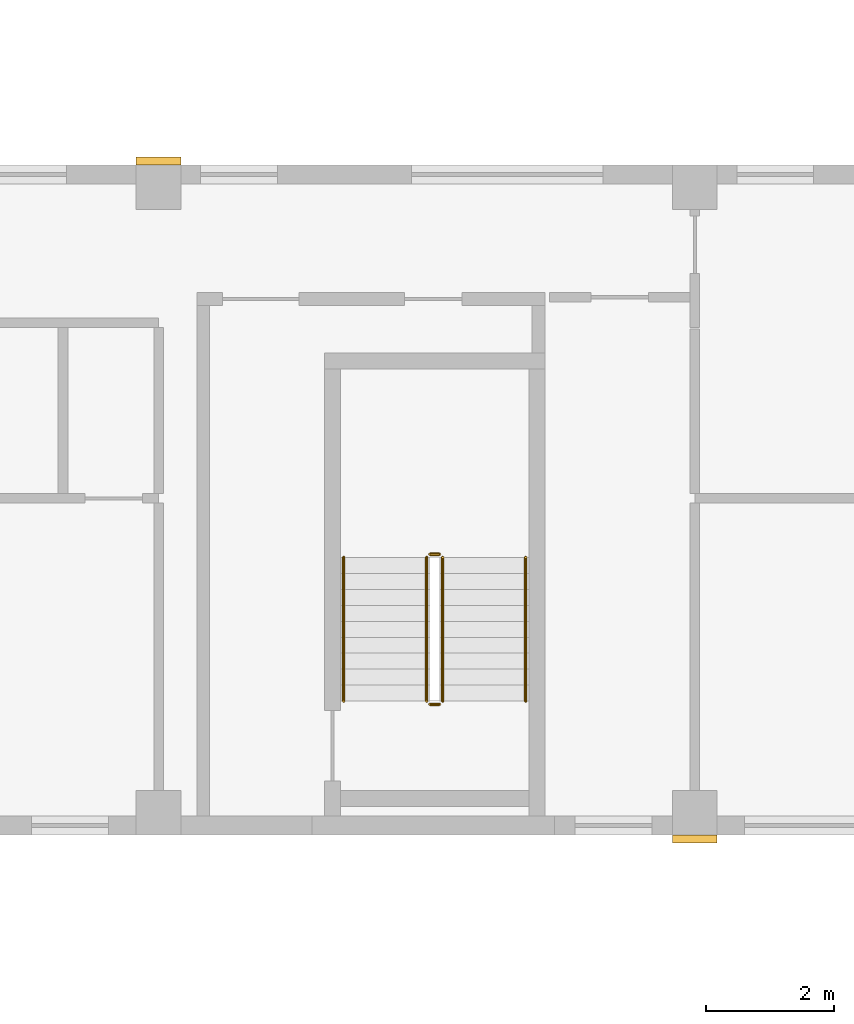
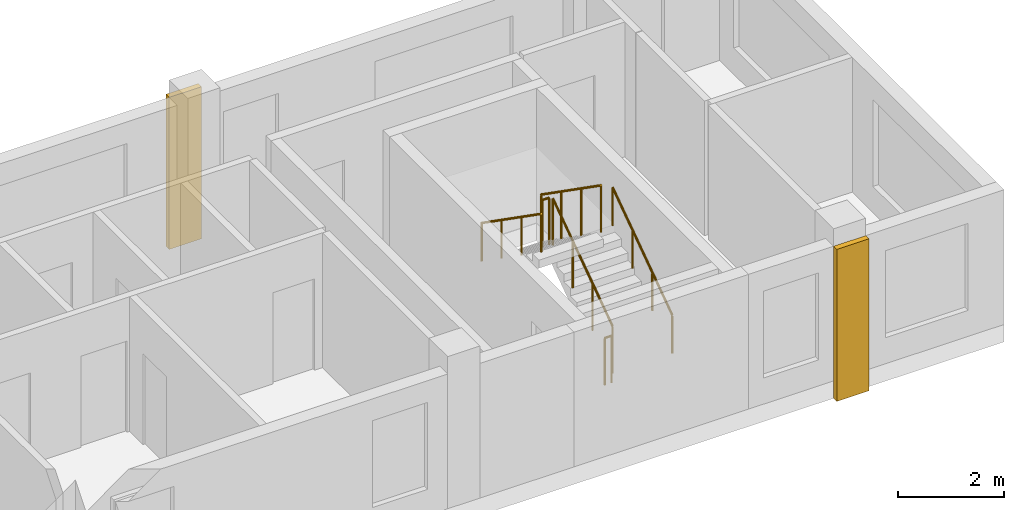
# One storey, part 8 of 9: 6 railings, 2 coverings.
"""IFC4 building model written with IfcOpenShell, lengths in metres."""

from ifc_helpers import new_model, si_unit, direction, frame, origin, origin_2d, place, context, subcontext, project, spatial, rectangle, circle, extrude, source, transform, mapped, material, type_object, element, save


model = new_model("IFC4")

# Units and contexts
model_context = context("Model", 3, precision=1e-05, world=origin(), true_north=direction((0.0, 1.0)))
body_context = subcontext(model_context, "Body", "Model", "MODEL_VIEW")
ifc_project = project(units=[si_unit("LENGTHUNIT", "METRE"), si_unit("AREAUNIT", "SQUARE_METRE"), si_unit("VOLUMEUNIT", "CUBIC_METRE"), si_unit("PLANEANGLEUNIT", "RADIAN"), si_unit("MASSUNIT", "GRAM", prefix="KILO")], contexts=[model_context])

# Site, building, storey
site_placement = place(None, origin())
site = spatial("IfcSite", under=ifc_project, at=site_placement, CompositionType="ELEMENT")
building_placement = place(site_placement, origin())
building = spatial("IfcBuilding", under=site, at=building_placement, Name="Aurelian Terraces", CompositionType="ELEMENT")
storey_placement = place(building_placement, frame((0.0, 0.0, 312.5)))
storey = spatial("IfcBuildingStorey", under=building, at=storey_placement, Name="L72", CompositionType="ELEMENT", Elevation=312.5)

# Coverings
ifc_material_1 = material(Name="Terracotta rainscreen cladding relief", Category="masonry")
covering_type = type_object("IfcCoveringType", Name="BAGUETTE-TC", PredefinedType="CLADDING", material=ifc_material_1)
shared_shape_1 = source(origin(), body_context, "Body", "SweptSolid", [
    extrude(rectangle(XDim=0.7, YDim=0.12, at=origin_2d()), origin(), (0.0, 0.0, 1.0), 3.5),
])
for number, where, z_axis, x_axis, name in (
    (1, (46.2, -0.06, -0.4), (0.0, 0.0, 1.0), (1.0, 0.0, 0.0), "BAGUETTE pier L72 3"),
    (2, (37.8, 10.56, -0.4), (0.0, 0.0, 1.0), (1.0, 0.0, 0.0), "BAGUETTE pier L72 4"),
):
    element("IfcCovering", number, at=place(storey_placement, frame(where, z_axis=z_axis, x_axis=x_axis)), inside=storey, type_object=covering_type, Name=name, PredefinedType="CLADDING", context=body_context, shape_type="MappedRepresentation", body=[
        mapped(shared_shape_1, transform((0.0, 0.0, 0.0), scale=1.0)),
    ])

# Railings
ifc_material_2 = material(Name="Stainless steel", Category="steel")
railing_type_1 = type_object("IfcRailingType", Name="Stair guard 1100", PredefinedType="GUARDRAIL", material=ifc_material_2)
shared_shape_2 = source(origin(), body_context, "Body", "SweptSolid", [
    extrude(circle(Radius=0.024, at=origin_2d()), frame((0.0, 0.0, 1.076), z_axis=(-1.0, 0.0, 0.0), x_axis=(0.0, -1.0, 0.0)), (0.0, 0.0, 1.0), 0.15),
    extrude(circle(Radius=0.021, at=origin_2d()), origin(), (0.0, 0.0, 1.0), 1.052),
    extrude(circle(Radius=0.021, at=origin_2d()), frame((-0.15, 0.0, 0.0)), (0.0, 0.0, 1.0), 1.052),
])
for number, where, name in (
    (3, (42.2, 4.4, 1.75), "L72 S2 stair guard 2"),
    (4, (42.2, 2.05, 0.0), "L72 S2 stair guard 4"),
):
    element("IfcRailing", number, at=place(storey_placement, frame(where)), inside=storey, type_object=railing_type_1, Name=name, PredefinedType="GUARDRAIL", context=body_context, shape_type="MappedRepresentation", body=[
        mapped(shared_shape_2, transform((0.0, 0.0, 0.0), scale=1.0)),
    ])
shared_shape_3 = source(origin(), body_context, "Body", "SweptSolid", [
    extrude(circle(Radius=0.024, at=origin_2d()), frame((0.0, 0.0, 1.076), z_axis=(0.0, 0.819231920519, 0.573462344363), x_axis=(-1.0, 0.0, 0.0)), (0.0, 0.0, 1.0), 2.7465),
    extrude(circle(Radius=0.021, at=origin_2d()), origin(), (0.0, 0.0, 1.0), 1.052),
    extrude(circle(Radius=0.021, at=origin_2d()), frame((0.0, 0.75, 0.525)), (0.0, 0.0, 1.0), 1.052),
    extrude(circle(Radius=0.021, at=origin_2d()), frame((0.0, 1.5, 1.05)), (0.0, 0.0, 1.0), 1.052),
    extrude(circle(Radius=0.021, at=origin_2d()), frame((0.0, 2.25, 1.575)), (0.0, 0.0, 1.0), 1.052),
])
railing_1_placement = place(storey_placement, frame((42.25, 2.1, 0.175)))
element("IfcRailing", 5, at=railing_1_placement, inside=storey, type_object=railing_type_1, Name="L72 S2 stair guard 1", PredefinedType="GUARDRAIL", context=body_context, shape_type="MappedRepresentation", body=[
    mapped(shared_shape_3, transform((0.0, 0.0, 0.0), scale=1.0)),
])
shared_shape_4 = source(origin(), body_context, "Body", "SweptSolid", [
    extrude(circle(Radius=0.024, at=origin_2d()), frame((0.0, 0.0, 1.076), z_axis=(0.0, -0.819231920519, 0.573462344363), x_axis=(1.0, 0.0, 0.0)), (0.0, 0.0, 1.0), 2.7465),
    extrude(circle(Radius=0.021, at=origin_2d()), origin(), (0.0, 0.0, 1.0), 1.052),
    extrude(circle(Radius=0.021, at=origin_2d()), frame((0.0, -0.75, 0.525)), (0.0, 0.0, 1.0), 1.052),
    extrude(circle(Radius=0.021, at=origin_2d()), frame((0.0, -1.5, 1.05)), (0.0, 0.0, 1.0), 1.052),
    extrude(circle(Radius=0.021, at=origin_2d()), frame((0.0, -2.25, 1.575)), (0.0, 0.0, 1.0), 1.052),
])
railing_2_placement = place(storey_placement, frame((42.0, 4.35, 1.925)))
element("IfcRailing", 6, at=railing_2_placement, inside=storey, type_object=railing_type_1, Name="L72 S2 stair guard 3", PredefinedType="GUARDRAIL", context=body_context, shape_type="MappedRepresentation", body=[
    mapped(shared_shape_4, transform((0.0, 0.0, 0.0), scale=1.0)),
])
railing_type_2 = type_object("IfcRailingType", Name="Stair handrail", PredefinedType="HANDRAIL", material=ifc_material_2)
shared_shape_5 = source(origin(), body_context, "Body", "SweptSolid", [
    extrude(circle(Radius=0.024, at=origin_2d()), frame((0.0, 0.0, 0.876), z_axis=(0.0, 0.819231920519, 0.573462344363), x_axis=(-1.0, 0.0, 0.0)), (0.0, 0.0, 1.0), 2.7465),
    extrude(circle(Radius=0.021, at=origin_2d()), origin(), (0.0, 0.0, 1.0), 0.852),
    extrude(circle(Radius=0.021, at=origin_2d()), frame((0.0, 0.75, 0.525)), (0.0, 0.0, 1.0), 0.852),
    extrude(circle(Radius=0.021, at=origin_2d()), frame((0.0, 1.5, 1.05)), (0.0, 0.0, 1.0), 0.852),
    extrude(circle(Radius=0.021, at=origin_2d()), frame((0.0, 2.25, 1.575)), (0.0, 0.0, 1.0), 0.852),
])
railing_3_placement = place(storey_placement, frame((43.55, 2.1, 0.175)))
element("IfcRailing", 7, at=railing_3_placement, inside=storey, type_object=railing_type_2, Name="L72 S2 stair handrail 1", PredefinedType="HANDRAIL", context=body_context, shape_type="MappedRepresentation", body=[
    mapped(shared_shape_5, transform((0.0, 0.0, 0.0), scale=1.0)),
])
shared_shape_6 = source(origin(), body_context, "Body", "SweptSolid", [
    extrude(circle(Radius=0.024, at=origin_2d()), frame((0.0, 0.0, 0.876), z_axis=(0.0, -0.819231920519, 0.573462344363), x_axis=(1.0, 0.0, 0.0)), (0.0, 0.0, 1.0), 2.7465),
    extrude(circle(Radius=0.021, at=origin_2d()), origin(), (0.0, 0.0, 1.0), 0.852),
    extrude(circle(Radius=0.021, at=origin_2d()), frame((0.0, -0.75, 0.525)), (0.0, 0.0, 1.0), 0.852),
    extrude(circle(Radius=0.021, at=origin_2d()), frame((0.0, -1.5, 1.05)), (0.0, 0.0, 1.0), 0.852),
    extrude(circle(Radius=0.021, at=origin_2d()), frame((0.0, -2.25, 1.575)), (0.0, 0.0, 1.0), 0.852),
])
railing_4_placement = place(storey_placement, frame((40.7, 4.35, 1.925)))
element("IfcRailing", 8, at=railing_4_placement, inside=storey, type_object=railing_type_2, Name="L72 S2 stair handrail 2", PredefinedType="HANDRAIL", context=body_context, shape_type="MappedRepresentation", body=[
    mapped(shared_shape_6, transform((0.0, 0.0, 0.0), scale=1.0)),
])

save(model, "model.ifc")
